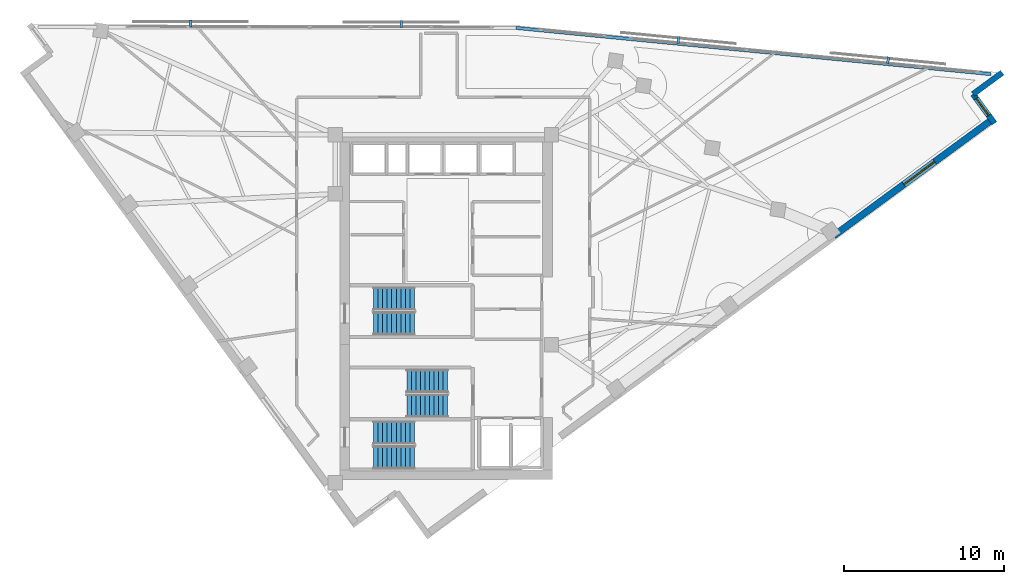
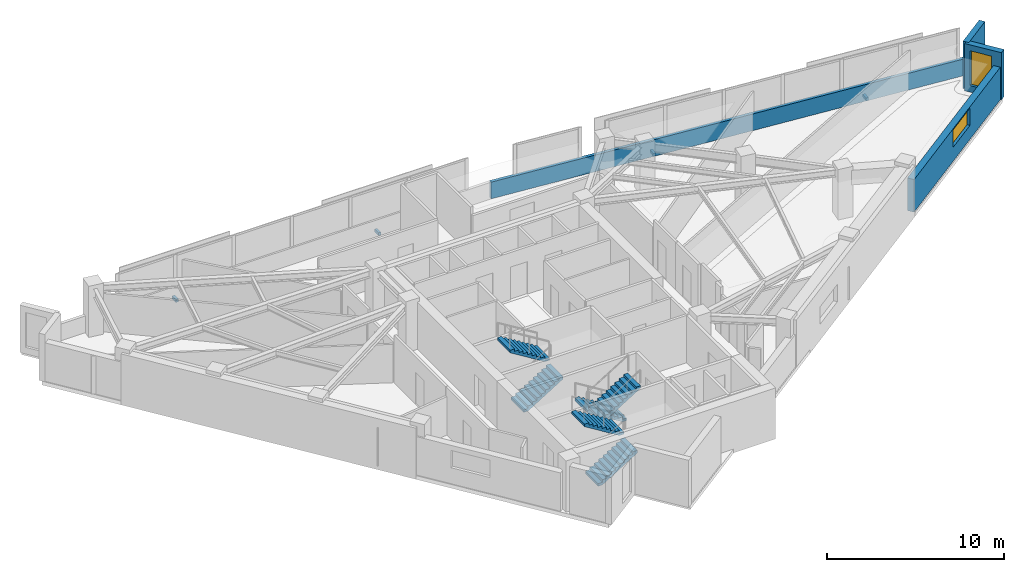
# One storey, part 11 of 13: 6 stair flights, 4 discrete accessories, 4 walls, 2 windows, 2 openings, 3 elements without a shape of their own.
"""IFC4 building model written with IfcOpenShell, lengths in metres."""

from ifc_helpers import new_model, si_unit, direction, frame, frame_2d, origin, origin_2d, place, context, subcontext, project, spatial, polyline, rectangle, outline, extrude, material, layer, layer_set, type_object, element, fill, aggregate, save


model = new_model("IFC4")

# Units and contexts
model_context = context("Model", 3, precision=1e-05, world=origin(), true_north=direction((0.0, 1.0)))
body_context = subcontext(model_context, "Body", "Model", "MODEL_VIEW")
ifc_project = project(units=[si_unit("LENGTHUNIT", "METRE"), si_unit("AREAUNIT", "SQUARE_METRE"), si_unit("VOLUMEUNIT", "CUBIC_METRE"), si_unit("PLANEANGLEUNIT", "RADIAN"), si_unit("MASSUNIT", "GRAM", prefix="KILO")], contexts=[model_context])

# Site, building, storey
site_placement = place(None, origin())
site = spatial("IfcSite", under=ifc_project, at=site_placement, CompositionType="ELEMENT")
building_placement = place(site_placement, origin())
building = spatial("IfcBuilding", under=site, at=building_placement, Name="Narakoshi Arena Tower", CompositionType="ELEMENT")
storey_placement = place(building_placement, frame((0.0, 0.0, 243.139892578125)))
storey = spatial("IfcBuildingStorey", under=building, at=storey_placement, Name="L66", CompositionType="ELEMENT", Elevation=243.139892578125)

# Wall
ifc_material_1 = material(Name="Precast concrete C45/55", Category="concrete")
ifc_layer_1 = layer(ifc_material_1, 0.25)
ifc_layer_set_1 = layer_set([ifc_layer_1], Name="Precast concrete C45/55")
wall_type_1 = type_object("IfcWallType", Name="WL-PARA-250", PredefinedType="PARAPET", material=ifc_layer_set_1)
wall_1_placement = place(storey_placement, frame((113.093505859375, 60.296630859375, 0.0), z_axis=(0.0, 0.0, 1.0), x_axis=(-0.995299069493, 0.096849172769, 0.0)))
element("IfcWall", 1, at=wall_1_placement, inside=storey, type_object=wall_type_1, Name="L66 Hypotenuse Sill Upstand Parapet 1-01", PredefinedType="PARAPET", context=body_context, shape_type="SweptSolid", body=[
    extrude(rectangle(XDim=29.917236328125, YDim=0.199951171875, at=frame_2d((14.95849609375, 0.0))), origin(), (0.0, 0.0, 1.0), 1.150146484375),
])

# Wall, opening, window
ifc_layer_2 = layer(ifc_material_1, 0.419921875)
ifc_layer_set_2 = layer_set([ifc_layer_2], Name="Precast concrete C45/55")
wall_type_2 = type_object("IfcWallType", Name="WL-POD-420", PredefinedType="SOLIDWALL", material=ifc_layer_set_2)
wall_2_placement = place(storey_placement, frame((103.236572265625, 50.17529296875, 0.0), z_axis=(0.0, 0.0, 1.0), x_axis=(0.80643721533, 0.591319725471, 0.0)))
wall_2 = element("IfcWall", 2, at=wall_2_placement, inside=storey, type_object=wall_type_2, Name="L66 Architectural Concrete Facade Wall LEGA-4", PredefinedType="SOLIDWALL", context=body_context, shape_type="SweptSolid", body=[
    extrude(rectangle(XDim=12.285400390625, YDim=0.419921875, at=frame_2d((6.142578125, 0.0))), origin(), (0.0, 0.0, 1.0), 2.2451171875),
])
opening_1_placement = place(wall_2_placement, frame((5.443359375, 0.0, 0.965087890625)))
opening_1 = element("IfcOpeningElement", 3, at=opening_1_placement, cuts=wall_2, Name="Opening WN-04", PredefinedType="OPENING", context=body_context, shape_type="SweptSolid", body=[
    extrude(rectangle(XDim=2.39990234375, YDim=1.199951171875, at=frame_2d((1.199951171875, 0.60009765625))), frame((0.0, 0.219970703125, 0.0), z_axis=(0.0, -1.0, 0.0), x_axis=(1.0, 0.0, 0.0)), (0.0, 0.0, 1.0), 0.43994140625),
])
ifc_material_2 = material(Name="Bronze-tinted low-E laminated glass", Category="glass")
window_type_1 = type_object("IfcWindowType", Name="WIN-SLT-24x12", PartitioningType="SINGLE_PANEL", PredefinedType="WINDOW", material=ifc_material_2)
window_1_placement = place(opening_1_placement, origin())
window_1 = element("IfcWindow", 4, at=window_1_placement, inside=storey, type_object=window_type_1, Name="L66 LEGA4 Horizontal Slot Window 1", OverallHeight=1.199951171875, OverallWidth=2.39990234375, PartitioningType="SINGLE_PANEL", PredefinedType="WINDOW", context=body_context, shape_type="SweptSolid", body=[
    extrude(rectangle(XDim=2.39990234375, YDim=1.199951171875, at=frame_2d((1.199951171875, 0.60009765625))), frame((0.0, 0.030029296875, 0.0), z_axis=(0.0, -1.0, 0.0), x_axis=(1.0, 0.0, 0.0)), (0.0, 0.0, 1.0), 0.06005859375),
])
fill(opening_1, window_1)

wall_3_placement = place(storey_placement, frame((113.306640625, 57.218017578125, 0.0), z_axis=(0.0, 0.0, 1.0), x_axis=(-0.591251685745, 0.806487101015, 0.0)))
wall_3 = element("IfcWall", 5, at=wall_3_placement, inside=storey, type_object=wall_type_2, Name="L66 Re-Entrant Corner Notch Wall NTE-1", PredefinedType="SOLIDWALL", context=body_context, shape_type="SweptSolid", body=[
    extrude(rectangle(XDim=2.2685546875, YDim=0.360107421875, at=frame_2d((1.13427734375, 0.0))), origin(), (0.0, 0.0, 1.0), 3.260009765625),
])
opening_2_placement = place(wall_3_placement, frame((0.628662109375, 0.0, 0.449951171875)))
opening_2 = element("IfcOpeningElement", 6, at=opening_2_placement, cuts=wall_3, Name="Opening WN-06", PredefinedType="OPENING", context=body_context, shape_type="SweptSolid", body=[
    extrude(rectangle(XDim=1.300048828125, YDim=2.39990234375, at=frame_2d((0.64990234375, 1.199951171875))), frame((0.0, 0.18994140625, 0.0), z_axis=(0.0, -1.0, 0.0), x_axis=(1.0, 0.0, 0.0)), (0.0, 0.0, 1.0), 0.380126953125),
])
window_type_2 = type_object("IfcWindowType", Name="WIN-NTC-16x24", PartitioningType="SINGLE_PANEL", PredefinedType="WINDOW", material=ifc_material_2)
window_2_placement = place(opening_2_placement, origin())
window_2 = element("IfcWindow", 7, at=window_2_placement, inside=storey, type_object=window_type_2, Name="L66 Corner Notch Window NTE", OverallHeight=2.39990234375, OverallWidth=1.300048828125, PartitioningType="SINGLE_PANEL", PredefinedType="WINDOW", context=body_context, shape_type="SweptSolid", body=[
    extrude(rectangle(XDim=1.300048828125, YDim=2.39990234375, at=frame_2d((0.64990234375, 1.199951171875))), frame((0.0, 0.030029296875, 0.0), z_axis=(0.0, -1.0, 0.0), x_axis=(1.0, 0.0, 0.0)), (0.0, 0.0, 1.0), 0.06005859375),
])
fill(opening_2, window_2)

# Wall
wall_4_placement = place(storey_placement, frame((111.96533203125, 59.047607421875, 0.0), z_axis=(0.0, 0.0, 1.0), x_axis=(0.806435785153, 0.59132167593, 0.0)))
element("IfcWall", 8, at=wall_4_placement, inside=storey, type_object=wall_type_2, Name="L66 Re-Entrant Corner Notch Wall NTE-2", PredefinedType="SOLIDWALL", context=body_context, shape_type="SweptSolid", body=[
    extrude(rectangle(XDim=2.268798828125, YDim=0.360107421875, at=frame_2d((1.13427734375, 0.0))), origin(), (0.0, 0.0, 1.0), 3.260009765625),
])

# Stair, stair flights
ifc_material_3 = material(Name="Concrete C45/55", Category="concrete")
stair_type = type_object("IfcStairType", Name="STR-CORE-352", PredefinedType="TWO_STRAIGHT_RUN_STAIR", material=ifc_material_3)
stair_1_placement = place(storey_placement, origin())
stair_1 = element("IfcStair", 9, at=stair_1_placement, inside=storey, type_object=stair_type, Name="L66 Core Escape Stair ST1", PredefinedType="TWO_STRAIGHT_RUN_STAIR")
stair_flight_type = type_object("IfcStairFlightType", Name="FLT-145-160", PredefinedType="STRAIGHT", material=ifc_material_1)
stair_flight_1_placement = place(storey_placement, frame((74.39990234375, 36.27490234375, 0.0), z_axis=(0.0, 0.0, 1.0), x_axis=(1.0, 0.0, 0.0)))
stair_flight_1 = element("IfcStairFlight", 10, at=stair_flight_1_placement, type_object=stair_flight_type, Name="ST1 flight 1", NumberOfRisers=10, NumberOfTreads=9, PredefinedType="STRAIGHT", RiserHeight=0.176, TreadLength=0.285, context=body_context, shape_type="SweptSolid", body=[
    extrude(outline(polyline([(0.0, 0.0), (0.0, 0.176025390625), (0.284912109375, 0.176025390625), (0.284912109375, 0.35205078125), (0.570068359375, 0.35205078125), (0.570068359375, 0.528076171875), (0.85498046875, 0.528076171875), (0.85498046875, 0.7041015625), (1.139892578125, 0.7041015625), (1.139892578125, 0.8798828125), (1.425048828125, 0.8798828125), (1.425048828125, 1.055908203125), (1.7099609375, 1.055908203125), (1.7099609375, 1.23193359375), (1.9951171875, 1.23193359375), (1.9951171875, 1.407958984375), (2.280029296875, 1.407958984375), (2.280029296875, 1.583984375), (2.56494140625, 1.583984375), (2.56494140625, 1.760009765625), (2.56494140625, 1.40771484375), (0.285400390625, 0.0), (0.0, 0.0)])), frame((0.0, 0.72509765625, 0.0), z_axis=(0.0, -1.0, 0.0), x_axis=(1.0, 0.0, 0.0)), (0.0, 0.0, 1.0), 1.449951171875),
])
stair_flight_2_placement = place(storey_placement, frame((76.965087890625, 37.824951171875, 1.760009765625), z_axis=(0.0, 0.0, 1.0), x_axis=(-1.0, 0.0, 0.0)))
stair_flight_2 = element("IfcStairFlight", 11, at=stair_flight_2_placement, type_object=stair_flight_type, Name="ST1 flight 2", NumberOfRisers=10, NumberOfTreads=9, PredefinedType="STRAIGHT", RiserHeight=0.176, TreadLength=0.285, context=body_context, shape_type="SweptSolid", body=[
    extrude(outline(polyline([(0.0, 0.0), (0.0, 0.176025390625), (0.284912109375, 0.176025390625), (0.284912109375, 0.35205078125), (0.570068359375, 0.35205078125), (0.570068359375, 0.528076171875), (0.85498046875, 0.528076171875), (0.85498046875, 0.7041015625), (1.139892578125, 0.7041015625), (1.139892578125, 0.8798828125), (1.425048828125, 0.8798828125), (1.425048828125, 1.055908203125), (1.7099609375, 1.055908203125), (1.7099609375, 1.23193359375), (1.9951171875, 1.23193359375), (1.9951171875, 1.407958984375), (2.280029296875, 1.407958984375), (2.280029296875, 1.583984375), (2.56494140625, 1.583984375), (2.56494140625, 1.760009765625), (2.56494140625, 1.40771484375), (0.285400390625, 0.0), (0.0, 0.0)])), frame((0.0, 0.72509765625, 0.0), z_axis=(0.0, -1.0, 0.0), x_axis=(1.0, 0.0, 0.0)), (0.0, 0.0, 1.0), 1.449951171875),
])
aggregate(stair_1, [stair_flight_1, stair_flight_2])

stair_2_placement = place(storey_placement, origin())
stair_2 = element("IfcStair", 12, at=stair_2_placement, inside=storey, type_object=stair_type, Name="L66 Core Escape Stair ST2", PredefinedType="TWO_STRAIGHT_RUN_STAIR")
stair_flight_3_placement = place(storey_placement, frame((79.050048828125, 41.074951171875, 0.0), z_axis=(0.0, 0.0, 1.0), x_axis=(-1.0, 0.0, 0.0)))
stair_flight_3 = element("IfcStairFlight", 13, at=stair_flight_3_placement, type_object=stair_flight_type, Name="ST2 flight 1", NumberOfRisers=10, NumberOfTreads=9, PredefinedType="STRAIGHT", RiserHeight=0.176, TreadLength=0.285, context=body_context, shape_type="SweptSolid", body=[
    extrude(outline(polyline([(0.0, 0.0), (0.0, 0.176025390625), (0.284912109375, 0.176025390625), (0.284912109375, 0.35205078125), (0.570068359375, 0.35205078125), (0.570068359375, 0.528076171875), (0.85498046875, 0.528076171875), (0.85498046875, 0.7041015625), (1.139892578125, 0.7041015625), (1.139892578125, 0.8798828125), (1.425048828125, 0.8798828125), (1.425048828125, 1.055908203125), (1.7099609375, 1.055908203125), (1.7099609375, 1.23193359375), (1.9951171875, 1.23193359375), (1.9951171875, 1.407958984375), (2.280029296875, 1.407958984375), (2.280029296875, 1.583984375), (2.56494140625, 1.583984375), (2.56494140625, 1.760009765625), (2.56494140625, 1.40771484375), (0.285400390625, 0.0), (0.0, 0.0)])), frame((0.0, 0.72509765625, 0.0), z_axis=(0.0, -1.0, 0.0), x_axis=(1.0, 0.0, 0.0)), (0.0, 0.0, 1.0), 1.449951171875),
])
stair_flight_4_placement = place(storey_placement, frame((76.485107421875, 39.52490234375, 1.760009765625), z_axis=(0.0, 0.0, 1.0), x_axis=(1.0, 0.0, 0.0)))
stair_flight_4 = element("IfcStairFlight", 14, at=stair_flight_4_placement, type_object=stair_flight_type, Name="ST2 flight 2", NumberOfRisers=10, NumberOfTreads=9, PredefinedType="STRAIGHT", RiserHeight=0.176, TreadLength=0.285, context=body_context, shape_type="SweptSolid", body=[
    extrude(outline(polyline([(0.0, 0.0), (0.0, 0.176025390625), (0.284912109375, 0.176025390625), (0.284912109375, 0.35205078125), (0.570068359375, 0.35205078125), (0.570068359375, 0.528076171875), (0.85498046875, 0.528076171875), (0.85498046875, 0.7041015625), (1.139892578125, 0.7041015625), (1.139892578125, 0.8798828125), (1.425048828125, 0.8798828125), (1.425048828125, 1.055908203125), (1.7099609375, 1.055908203125), (1.7099609375, 1.23193359375), (1.9951171875, 1.23193359375), (1.9951171875, 1.407958984375), (2.280029296875, 1.407958984375), (2.280029296875, 1.583984375), (2.56494140625, 1.583984375), (2.56494140625, 1.760009765625), (2.56494140625, 1.40771484375), (0.285400390625, 0.0), (0.0, 0.0)])), frame((0.0, 0.72509765625, 0.0), z_axis=(0.0, -1.0, 0.0), x_axis=(1.0, 0.0, 0.0)), (0.0, 0.0, 1.0), 1.449951171875),
])
aggregate(stair_2, [stair_flight_3, stair_flight_4])

stair_3_placement = place(storey_placement, origin())
stair_3 = element("IfcStair", 15, at=stair_3_placement, inside=storey, type_object=stair_type, Name="L66 Core Escape Stair ST3", PredefinedType="TWO_STRAIGHT_RUN_STAIR")
stair_flight_5_placement = place(storey_placement, frame((74.39990234375, 44.675048828125, 0.0), z_axis=(0.0, 0.0, 1.0), x_axis=(1.0, 0.0, 0.0)))
stair_flight_5 = element("IfcStairFlight", 16, at=stair_flight_5_placement, type_object=stair_flight_type, Name="ST3 flight 1", NumberOfRisers=10, NumberOfTreads=9, PredefinedType="STRAIGHT", RiserHeight=0.176, TreadLength=0.285, context=body_context, shape_type="SweptSolid", body=[
    extrude(outline(polyline([(0.0, 0.0), (0.0, 0.176025390625), (0.284912109375, 0.176025390625), (0.284912109375, 0.35205078125), (0.570068359375, 0.35205078125), (0.570068359375, 0.528076171875), (0.85498046875, 0.528076171875), (0.85498046875, 0.7041015625), (1.139892578125, 0.7041015625), (1.139892578125, 0.8798828125), (1.425048828125, 0.8798828125), (1.425048828125, 1.055908203125), (1.7099609375, 1.055908203125), (1.7099609375, 1.23193359375), (1.9951171875, 1.23193359375), (1.9951171875, 1.407958984375), (2.280029296875, 1.407958984375), (2.280029296875, 1.583984375), (2.56494140625, 1.583984375), (2.56494140625, 1.760009765625), (2.56494140625, 1.40771484375), (0.285400390625, 0.0), (0.0, 0.0)])), frame((0.0, 0.72509765625, 0.0), z_axis=(0.0, -1.0, 0.0), x_axis=(1.0, 0.0, 0.0)), (0.0, 0.0, 1.0), 1.449951171875),
])
stair_flight_6_placement = place(storey_placement, frame((76.965087890625, 46.22509765625, 1.760009765625), z_axis=(0.0, 0.0, 1.0), x_axis=(-1.0, 0.0, 0.0)))
stair_flight_6 = element("IfcStairFlight", 17, at=stair_flight_6_placement, type_object=stair_flight_type, Name="ST3 flight 2", NumberOfRisers=10, NumberOfTreads=9, PredefinedType="STRAIGHT", RiserHeight=0.176, TreadLength=0.285, context=body_context, shape_type="SweptSolid", body=[
    extrude(outline(polyline([(0.0, 0.0), (0.0, 0.176025390625), (0.284912109375, 0.176025390625), (0.284912109375, 0.35205078125), (0.570068359375, 0.35205078125), (0.570068359375, 0.528076171875), (0.85498046875, 0.528076171875), (0.85498046875, 0.7041015625), (1.139892578125, 0.7041015625), (1.139892578125, 0.8798828125), (1.425048828125, 0.8798828125), (1.425048828125, 1.055908203125), (1.7099609375, 1.055908203125), (1.7099609375, 1.23193359375), (1.9951171875, 1.23193359375), (1.9951171875, 1.407958984375), (2.280029296875, 1.407958984375), (2.280029296875, 1.583984375), (2.56494140625, 1.583984375), (2.56494140625, 1.760009765625), (2.56494140625, 1.40771484375), (0.285400390625, 0.0), (0.0, 0.0)])), frame((0.0, 0.72509765625, 0.0), z_axis=(0.0, -1.0, 0.0), x_axis=(1.0, 0.0, 0.0)), (0.0, 0.0, 1.0), 1.449951171875),
])
aggregate(stair_3, [stair_flight_5, stair_flight_6])

# Discrete accessories
ifc_material_4 = material(Name="Structural steel S355J2", Category="steel")
discrete_accessory_type = type_object("IfcDiscreteAccessoryType", Name="ACC-BRK-SCR", PredefinedType="BRACKET", material=ifc_material_4)
for number, where, z_axis, x_axis, name in (
    (18, (106.636474609375, 61.166015625, -0.080078125), (0.0, 0.0, 1.0), (-0.995298664587, 0.096853333819, 0.0), "L66 Solar Screen Support Bracket SHD-L66-SCR1-1"),
    (19, (93.498291015625, 62.444580078125, -0.080078125), (0.0, 0.0, 1.0), (-0.995298664587, 0.096853333819, 0.0), "L66 Solar Screen Support Bracket SHD-L66-SCR1-2"),
    (20, (76.1328125, 63.4462890625, -0.080078125), (0.0, 0.0, 1.0), (-0.999998352629, 0.001815141425, 0.0), "L66 Solar Screen Support Bracket SHD-L66-SCR2-1"),
    (21, (62.9326171875, 63.470458984375, -0.080078125), (0.0, 0.0, 1.0), (-0.999998352629, 0.001815141425, 0.0), "L66 Solar Screen Support Bracket SHD-L66-SCR2-2"),
):
    element("IfcDiscreteAccessory", number, at=place(storey_placement, frame(where, z_axis=z_axis, x_axis=x_axis)), inside=storey, type_object=discrete_accessory_type, Name=name, PredefinedType="BRACKET", context=body_context, shape_type="SweptSolid", body=[
        extrude(rectangle(XDim=0.159912109375, YDim=0.43994140625, at=origin_2d()), origin(), (0.0, 0.0, 1.0), 0.199951171875),
    ])

save(model, "model.ifc")
